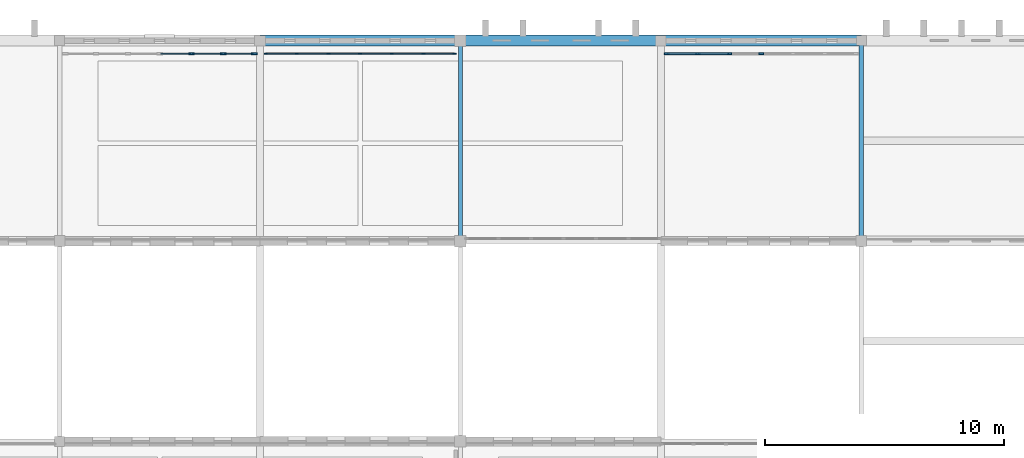
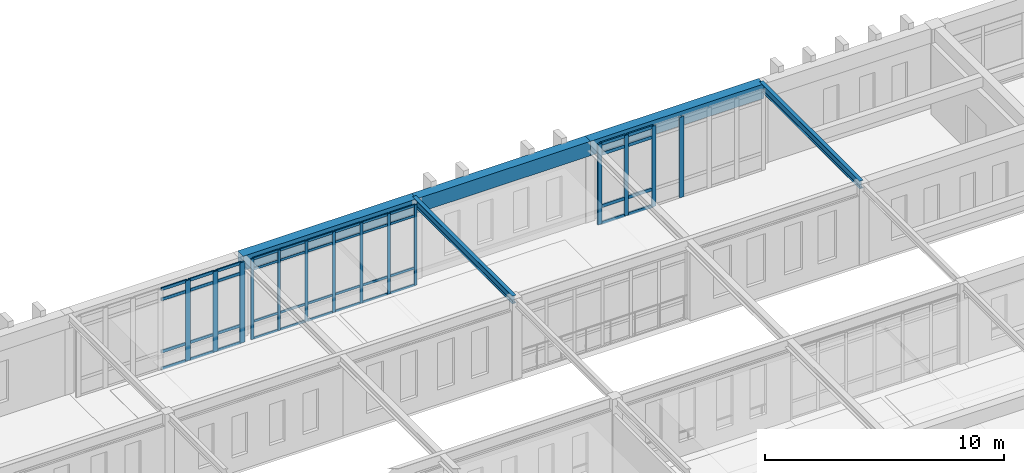
# One storey, part 96 of 192: 58 members, 5 beams, 3 elements without a shape of their own.
"""IFC4 building model written with IfcOpenShell, lengths in metres."""

from ifc_helpers import new_model, si_unit, direction, frame, origin, origin_2d, place, context, subcontext, project, spatial, rectangle, i_section, extrude, material, layer, layer_set, material_profile, profile_set, type_object, element, aggregate, save


model = new_model("IFC4")

# Units and contexts
model_context = context("Model", 3, precision=1e-05, world=origin(), true_north=direction((0.0, 1.0)))
body_context = subcontext(model_context, "Body", "Model", "MODEL_VIEW")
ifc_project = project(units=[si_unit("LENGTHUNIT", "METRE"), si_unit("AREAUNIT", "SQUARE_METRE"), si_unit("VOLUMEUNIT", "CUBIC_METRE"), si_unit("PLANEANGLEUNIT", "RADIAN"), si_unit("MASSUNIT", "GRAM", prefix="KILO")], contexts=[model_context])

# Site, building, storey
site_placement = place(None, origin())
site = spatial("IfcSite", under=ifc_project, at=site_placement, CompositionType="ELEMENT")
building_placement = place(site_placement, origin())
building = spatial("IfcBuilding", under=site, at=building_placement, Name="Kveldsbrygga Polytechnic", CompositionType="ELEMENT")
storey_placement = place(building_placement, frame((0.0, 0.0, 5.43994140625)))
storey = spatial("IfcBuildingStorey", under=building, at=storey_placement, Name="L01", CompositionType="ELEMENT", Elevation=5.43994140625)

# Beams
ifc_material_1 = material(Name="Concrete C35/45", Category="concrete")
ifc_material_profile_1 = material_profile(ifc_material_1, rectangle(XDim=0.4599609375, YDim=0.739990234375, at=origin_2d()), Name="RC 460x740")
ifc_profile_set_1 = profile_set([ifc_material_profile_1], Name="Concrete C35/45")
beam_type_1 = type_object("IfcBeamType", Name="BM-RC-460x740", PredefinedType="BEAM", material=ifc_profile_set_1)
beam_placement = place(storey_placement, frame((67.199951171875, 117.60009765625, 3.75), z_axis=(1.0, 0.0, 0.0), x_axis=(0.0, 1.0, 0.0)))
element("IfcBeam", 1, at=beam_placement, inside=storey, type_object=beam_type_1, Name="Primary Beam BMX-L01-08to09-14", PredefinedType="BEAM", context=body_context, shape_type="SweptSolid", body=[
    extrude(rectangle(XDim=0.4599609375, YDim=0.739990234375, at=origin_2d()), origin(), (0.0, 0.0, 1.0), 8.400146484375),
])
for number, where, z_axis, x_axis, name in (
    (2, (75.60009765625, 117.60009765625, 3.75), (1.0, 0.0, 0.0), (0.0, 1.0, 0.0), "Primary Beam BMX-L01-09to10-14"),
    (3, (84.0, 117.60009765625, 3.75), (1.0, 0.0, 0.0), (0.0, 1.0, 0.0), "Primary Beam BMX-L01-10to11-14"),
):
    element("IfcBeam", number, at=place(storey_placement, frame(where, z_axis=z_axis, x_axis=x_axis)), inside=storey, type_object=beam_type_1, Name=name, PredefinedType="BEAM", context=body_context, shape_type="SweptSolid", body=[
        extrude(rectangle(XDim=0.4599609375, YDim=0.739990234375, at=origin_2d()), origin(), (0.0, 0.0, 1.0), 8.39990234375),
    ])
ifc_material_2 = material(Name="Steel S355", Category="steel")
ifc_material_profile_2 = material_profile(ifc_material_2, i_section(OverallWidth=0.179931640625, OverallDepth=0.39990234375, WebThickness=0.008544921875, FlangeThickness=0.013427734375, FilletRadius=0.02099609375, at=origin_2d()), Name="IPE 400")
ifc_profile_set_2 = profile_set([ifc_material_profile_2], Name="Steel S355")
beam_type_2 = type_object("IfcBeamType", Name="BM-STL-IPE400", PredefinedType="BEAM", material=ifc_profile_set_2)
for number, where, z_axis, x_axis, name in (
    (4, (75.60009765625, 109.199951171875, 3.920166015625), (0.0, 1.0, 0.0), (-1.0, 0.0, 0.0), "Primary Beam BMY-L01-09-13to14"),
    (5, (92.39990234375, 109.199951171875, 3.920166015625), (0.0, 1.0, 0.0), (-1.0, 0.0, 0.0), "Primary Beam BMY-L01-11-13to14"),
):
    element("IfcBeam", number, at=place(storey_placement, frame(where, z_axis=z_axis, x_axis=x_axis)), inside=storey, type_object=beam_type_2, Name=name, PredefinedType="BEAM", context=body_context, shape_type="SweptSolid", body=[
        extrude(i_section(OverallWidth=0.179931640625, OverallDepth=0.39990234375, WebThickness=0.008544921875, FlangeThickness=0.013427734375, FilletRadius=0.02099609375, at=origin_2d()), origin(), (0.0, 0.0, 1.0), 8.400146484375),
    ])

# Curtain wall, members
ifc_material_3 = material(Name="Anodised aluminium AW-6060", Category="aluminium")
ifc_layer_1 = layer(ifc_material_3, 0.179931640625)
ifc_layer_set_1 = layer_set([ifc_layer_1], Name="Anodised aluminium AW-6060")
curtain_wall_type_1 = type_object("IfcCurtainWallType", Name="CW-CONC-A", PredefinedType="USERDEFINED", material=ifc_layer_set_1)
curtain_wall_1_placement = place(storey_placement, origin())
curtain_wall_1 = element("IfcCurtainWall", 6, at=curtain_wall_1_placement, inside=storey, type_object=curtain_wall_type_1, Name="Curtain Wall CW-L01-X-08-14", ObjectType="UNITISED CURTAIN WALL", PredefinedType="USERDEFINED")
ifc_material_profile_3 = material_profile(ifc_material_3, rectangle(XDim=0.06005859375, YDim=0.139892578125, at=origin_2d()), Name="ALU 60x140")
ifc_profile_set_3 = profile_set([ifc_material_profile_3], Name="Anodised aluminium AW-6060")
member_type_1 = type_object("IfcMemberType", Name="CW-MUL-140", PredefinedType="MULLION", material=ifc_profile_set_3)
member_1_placement = place(storey_placement, frame((67.43994140625, 117.050048828125, 0.0), z_axis=(0.0, 0.0, 1.0), x_axis=(0.0, 1.0, 0.0)))
member_1 = element("IfcMember", 7, at=member_1_placement, type_object=member_type_1, Name="CW-01 mullion 1", PredefinedType="MULLION", context=body_context, shape_type="SweptSolid", body=[
    extrude(rectangle(XDim=0.06005859375, YDim=0.139892578125, at=origin_2d()), origin(), (0.0, 0.0, 1.0), 4.1201171875),
])
member_2_placement = place(storey_placement, frame((68.737548828125, 117.050048828125, 0.0), z_axis=(0.0, 0.0, 1.0), x_axis=(0.0, 1.0, 0.0)))
member_2 = element("IfcMember", 8, at=member_2_placement, type_object=member_type_1, Name="CW-01 mullion 2", PredefinedType="MULLION", context=body_context, shape_type="SweptSolid", body=[
    extrude(rectangle(XDim=0.06005859375, YDim=0.139892578125, at=origin_2d()), origin(), (0.0, 0.0, 1.0), 4.1201171875),
])
member_3_placement = place(storey_placement, frame((70.06494140625, 117.050048828125, 0.0), z_axis=(0.0, 0.0, 1.0), x_axis=(0.0, 1.0, 0.0)))
member_3 = element("IfcMember", 9, at=member_3_placement, type_object=member_type_1, Name="CW-01 mullion 3", PredefinedType="MULLION", context=body_context, shape_type="SweptSolid", body=[
    extrude(rectangle(XDim=0.06005859375, YDim=0.139892578125, at=origin_2d()), origin(), (0.0, 0.0, 1.0), 4.1201171875),
])
member_4_placement = place(storey_placement, frame((71.392578125, 117.050048828125, 0.0), z_axis=(0.0, 0.0, 1.0), x_axis=(0.0, 1.0, 0.0)))
member_4 = element("IfcMember", 10, at=member_4_placement, type_object=member_type_1, Name="CW-01 mullion 4", PredefinedType="MULLION", context=body_context, shape_type="SweptSolid", body=[
    extrude(rectangle(XDim=0.06005859375, YDim=0.139892578125, at=origin_2d()), origin(), (0.0, 0.0, 1.0), 4.1201171875),
])
member_5_placement = place(storey_placement, frame((72.719970703125, 117.050048828125, 0.0), z_axis=(0.0, 0.0, 1.0), x_axis=(0.0, 1.0, 0.0)))
member_5 = element("IfcMember", 11, at=member_5_placement, type_object=member_type_1, Name="CW-01 mullion 5", PredefinedType="MULLION", context=body_context, shape_type="SweptSolid", body=[
    extrude(rectangle(XDim=0.06005859375, YDim=0.139892578125, at=origin_2d()), origin(), (0.0, 0.0, 1.0), 4.1201171875),
])
member_6_placement = place(storey_placement, frame((74.047607421875, 117.050048828125, 0.0), z_axis=(0.0, 0.0, 1.0), x_axis=(0.0, 1.0, 0.0)))
member_6 = element("IfcMember", 12, at=member_6_placement, type_object=member_type_1, Name="CW-01 mullion 6", PredefinedType="MULLION", context=body_context, shape_type="SweptSolid", body=[
    extrude(rectangle(XDim=0.06005859375, YDim=0.139892578125, at=origin_2d()), origin(), (0.0, 0.0, 1.0), 4.1201171875),
])
member_7_placement = place(storey_placement, frame((75.344970703125, 117.050048828125, 0.0), z_axis=(0.0, 0.0, 1.0), x_axis=(0.0, 1.0, 0.0)))
member_7 = element("IfcMember", 13, at=member_7_placement, type_object=member_type_1, Name="CW-01 mullion 7", PredefinedType="MULLION", context=body_context, shape_type="SweptSolid", body=[
    extrude(rectangle(XDim=0.06005859375, YDim=0.139892578125, at=origin_2d()), origin(), (0.0, 0.0, 1.0), 4.1201171875),
])

ifc_layer_2 = layer(ifc_material_3, 0.159912109375)
ifc_layer_set_2 = layer_set([ifc_layer_2], Name="Anodised aluminium AW-6060")
curtain_wall_type_2 = type_object("IfcCurtainWallType", Name="CW-CLER-C", PredefinedType="USERDEFINED", material=ifc_layer_set_2)
curtain_wall_2_placement = place(storey_placement, origin())
curtain_wall_2 = element("IfcCurtainWall", 14, at=curtain_wall_2_placement, inside=storey, type_object=curtain_wall_type_2, Name="Curtain Wall CW-L01-X-10-14", ObjectType="STICK CURTAIN WALL", PredefinedType="USERDEFINED")
ifc_material_profile_4 = material_profile(ifc_material_3, rectangle(XDim=0.074951171875, YDim=0.199951171875, at=origin_2d()), Name="ALU 75x200")
ifc_profile_set_4 = profile_set([ifc_material_profile_4], Name="Anodised aluminium AW-6060")
member_type_2 = type_object("IfcMemberType", Name="CW-MUL-200", PredefinedType="MULLION", material=ifc_profile_set_4)
member_8_placement = place(storey_placement, frame((84.24755859375, 117.050048828125, 0.0), z_axis=(0.0, 0.0, 1.0), x_axis=(0.0, 1.0, 0.0)))
member_8 = element("IfcMember", 15, at=member_8_placement, type_object=member_type_2, Name="CW-03 mullion 1", PredefinedType="MULLION", context=body_context, shape_type="SweptSolid", body=[
    extrude(rectangle(XDim=0.074951171875, YDim=0.199951171875, at=origin_2d()), origin(), (0.0, 0.0, 1.0), 4.1201171875),
])
member_9_placement = place(storey_placement, frame((85.54248046875, 117.050048828125, 0.0), z_axis=(0.0, 0.0, 1.0), x_axis=(0.0, 1.0, 0.0)))
member_9 = element("IfcMember", 16, at=member_9_placement, type_object=member_type_2, Name="CW-03 mullion 2", PredefinedType="MULLION", context=body_context, shape_type="SweptSolid", body=[
    extrude(rectangle(XDim=0.074951171875, YDim=0.199951171875, at=origin_2d()), origin(), (0.0, 0.0, 1.0), 4.1201171875),
])
member_10_placement = place(storey_placement, frame((86.875, 117.050048828125, 0.0), z_axis=(0.0, 0.0, 1.0), x_axis=(0.0, 1.0, 0.0)))
member_10 = element("IfcMember", 17, at=member_10_placement, type_object=member_type_2, Name="CW-03 mullion 3", PredefinedType="MULLION", context=body_context, shape_type="SweptSolid", body=[
    extrude(rectangle(XDim=0.074951171875, YDim=0.199951171875, at=origin_2d()), origin(), (0.0, 0.0, 1.0), 4.1201171875),
])
member_11_placement = place(storey_placement, frame((88.20751953125, 117.050048828125, 0.0), z_axis=(0.0, 0.0, 1.0), x_axis=(0.0, 1.0, 0.0)))
member_11 = element("IfcMember", 18, at=member_11_placement, type_object=member_type_2, Name="CW-03 mullion 4", PredefinedType="MULLION", context=body_context, shape_type="SweptSolid", body=[
    extrude(rectangle(XDim=0.074951171875, YDim=0.199951171875, at=origin_2d()), origin(), (0.0, 0.0, 1.0), 4.1201171875),
])

ifc_layer_3 = layer(ifc_material_3, 0.2099609375)
ifc_layer_set_3 = layer_set([ifc_layer_3], Name="Anodised aluminium AW-6060")
curtain_wall_type_3 = type_object("IfcCurtainWallType", Name="CW-LIBR-H", PredefinedType="USERDEFINED", material=ifc_layer_set_3)
curtain_wall_3_placement = place(storey_placement, origin())
curtain_wall_3 = element("IfcCurtainWall", 19, at=curtain_wall_3_placement, inside=storey, type_object=curtain_wall_type_3, Name="Curtain Wall CW-L01-X-07-14", ObjectType="UNITISED CURTAIN WALL", PredefinedType="USERDEFINED")
ifc_material_profile_5 = material_profile(ifc_material_3, rectangle(XDim=0.074951171875, YDim=0.239990234375, at=origin_2d()), Name="ALU 75x240")
ifc_profile_set_5 = profile_set([ifc_material_profile_5], Name="Anodised aluminium AW-6060")
member_type_3 = type_object("IfcMemberType", Name="CW-MUL-240", PredefinedType="MULLION", material=ifc_profile_set_5)
member_12_placement = place(storey_placement, frame((64.324951171875, 117.050048828125, 0.0), z_axis=(0.0, 0.0, 1.0), x_axis=(0.0, 1.0, 0.0)))
member_12 = element("IfcMember", 20, at=member_12_placement, type_object=member_type_3, Name="CW-08 mullion 5", PredefinedType="MULLION", context=body_context, shape_type="SweptSolid", body=[
    extrude(rectangle(XDim=0.074951171875, YDim=0.239990234375, at=origin_2d()), origin(), (0.0, 0.0, 1.0), 4.1201171875),
])
member_13_placement = place(storey_placement, frame((65.657470703125, 117.050048828125, 0.0), z_axis=(0.0, 0.0, 1.0), x_axis=(0.0, 1.0, 0.0)))
member_13 = element("IfcMember", 21, at=member_13_placement, type_object=member_type_3, Name="CW-08 mullion 6", PredefinedType="MULLION", context=body_context, shape_type="SweptSolid", body=[
    extrude(rectangle(XDim=0.074951171875, YDim=0.239990234375, at=origin_2d()), origin(), (0.0, 0.0, 1.0), 4.1201171875),
])
member_14_placement = place(storey_placement, frame((66.952392578125, 117.050048828125, 0.0), z_axis=(0.0, 0.0, 1.0), x_axis=(0.0, 1.0, 0.0)))
member_14 = element("IfcMember", 22, at=member_14_placement, type_object=member_type_3, Name="CW-08 mullion 7", PredefinedType="MULLION", context=body_context, shape_type="SweptSolid", body=[
    extrude(rectangle(XDim=0.074951171875, YDim=0.239990234375, at=origin_2d()), origin(), (0.0, 0.0, 1.0), 4.1201171875),
])

# Member
ifc_material_profile_6 = material_profile(ifc_material_3, rectangle(XDim=0.06005859375, YDim=0.1201171875, at=origin_2d()), Name="ALU 60x120")
ifc_profile_set_6 = profile_set([ifc_material_profile_6], Name="Anodised aluminium AW-6060")
member_type_4 = type_object("IfcMemberType", Name="CW-TRN-120", PredefinedType="USERDEFINED", material=ifc_profile_set_6)
member_15_placement = place(storey_placement, frame((67.469970703125, 117.050048828125, 0.030029296875), z_axis=(1.0, 0.0, 0.0), x_axis=(0.0, 1.0, 0.0)))
member_15 = element("IfcMember", 23, at=member_15_placement, type_object=member_type_4, Name="CW-01 transom 1.1", ObjectType="TRANSOM", PredefinedType="USERDEFINED", context=body_context, shape_type="SweptSolid", body=[
    extrude(rectangle(XDim=0.06005859375, YDim=0.1201171875, at=origin_2d()), origin(), (0.0, 0.0, 1.0), 1.237548828125),
])

member_16_placement = place(storey_placement, frame((67.469970703125, 117.050048828125, 0.900146484375), z_axis=(1.0, 0.0, 0.0), x_axis=(0.0, 1.0, 0.0)))
member_16 = element("IfcMember", 24, at=member_16_placement, type_object=member_type_4, Name="CW-01 transom 1.2", ObjectType="TRANSOM", PredefinedType="USERDEFINED", context=body_context, shape_type="SweptSolid", body=[
    extrude(rectangle(XDim=0.06005859375, YDim=0.1201171875, at=origin_2d()), origin(), (0.0, 0.0, 1.0), 1.237548828125),
])

member_17_placement = place(storey_placement, frame((67.469970703125, 117.050048828125, 3.570068359375), z_axis=(1.0, 0.0, 0.0), x_axis=(0.0, 1.0, 0.0)))
member_17 = element("IfcMember", 25, at=member_17_placement, type_object=member_type_4, Name="CW-01 transom 1.3", ObjectType="TRANSOM", PredefinedType="USERDEFINED", context=body_context, shape_type="SweptSolid", body=[
    extrude(rectangle(XDim=0.06005859375, YDim=0.1201171875, at=origin_2d()), origin(), (0.0, 0.0, 1.0), 1.237548828125),
])

member_18_placement = place(storey_placement, frame((67.469970703125, 117.050048828125, 4.090087890625), z_axis=(1.0, 0.0, 0.0), x_axis=(0.0, 1.0, 0.0)))
member_18 = element("IfcMember", 26, at=member_18_placement, type_object=member_type_4, Name="CW-01 transom 1.4", ObjectType="TRANSOM", PredefinedType="USERDEFINED", context=body_context, shape_type="SweptSolid", body=[
    extrude(rectangle(XDim=0.06005859375, YDim=0.1201171875, at=origin_2d()), origin(), (0.0, 0.0, 1.0), 1.237548828125),
])

member_19_placement = place(storey_placement, frame((68.767578125, 117.050048828125, 0.030029296875), z_axis=(1.0, 0.0, 0.0), x_axis=(0.0, 1.0, 0.0)))
member_19 = element("IfcMember", 27, at=member_19_placement, type_object=member_type_4, Name="CW-01 transom 2.1", ObjectType="TRANSOM", PredefinedType="USERDEFINED", context=body_context, shape_type="SweptSolid", body=[
    extrude(rectangle(XDim=0.06005859375, YDim=0.1201171875, at=origin_2d()), origin(), (0.0, 0.0, 1.0), 1.267333984375),
])

member_20_placement = place(storey_placement, frame((68.767578125, 117.050048828125, 0.900146484375), z_axis=(1.0, 0.0, 0.0), x_axis=(0.0, 1.0, 0.0)))
member_20 = element("IfcMember", 28, at=member_20_placement, type_object=member_type_4, Name="CW-01 transom 2.2", ObjectType="TRANSOM", PredefinedType="USERDEFINED", context=body_context, shape_type="SweptSolid", body=[
    extrude(rectangle(XDim=0.06005859375, YDim=0.1201171875, at=origin_2d()), origin(), (0.0, 0.0, 1.0), 1.267333984375),
])

member_21_placement = place(storey_placement, frame((68.767578125, 117.050048828125, 3.570068359375), z_axis=(1.0, 0.0, 0.0), x_axis=(0.0, 1.0, 0.0)))
member_21 = element("IfcMember", 29, at=member_21_placement, type_object=member_type_4, Name="CW-01 transom 2.3", ObjectType="TRANSOM", PredefinedType="USERDEFINED", context=body_context, shape_type="SweptSolid", body=[
    extrude(rectangle(XDim=0.06005859375, YDim=0.1201171875, at=origin_2d()), origin(), (0.0, 0.0, 1.0), 1.267333984375),
])

member_22_placement = place(storey_placement, frame((68.767578125, 117.050048828125, 4.090087890625), z_axis=(1.0, 0.0, 0.0), x_axis=(0.0, 1.0, 0.0)))
member_22 = element("IfcMember", 30, at=member_22_placement, type_object=member_type_4, Name="CW-01 transom 2.4", ObjectType="TRANSOM", PredefinedType="USERDEFINED", context=body_context, shape_type="SweptSolid", body=[
    extrude(rectangle(XDim=0.06005859375, YDim=0.1201171875, at=origin_2d()), origin(), (0.0, 0.0, 1.0), 1.267333984375),
])

member_23_placement = place(storey_placement, frame((70.094970703125, 117.050048828125, 0.030029296875), z_axis=(1.0, 0.0, 0.0), x_axis=(0.0, 1.0, 0.0)))
member_23 = element("IfcMember", 31, at=member_23_placement, type_object=member_type_4, Name="CW-01 transom 3.1", ObjectType="TRANSOM", PredefinedType="USERDEFINED", context=body_context, shape_type="SweptSolid", body=[
    extrude(rectangle(XDim=0.06005859375, YDim=0.1201171875, at=origin_2d()), origin(), (0.0, 0.0, 1.0), 1.267578125),
])

member_24_placement = place(storey_placement, frame((70.094970703125, 117.050048828125, 0.900146484375), z_axis=(1.0, 0.0, 0.0), x_axis=(0.0, 1.0, 0.0)))
member_24 = element("IfcMember", 32, at=member_24_placement, type_object=member_type_4, Name="CW-01 transom 3.2", ObjectType="TRANSOM", PredefinedType="USERDEFINED", context=body_context, shape_type="SweptSolid", body=[
    extrude(rectangle(XDim=0.06005859375, YDim=0.1201171875, at=origin_2d()), origin(), (0.0, 0.0, 1.0), 1.267578125),
])

member_25_placement = place(storey_placement, frame((70.094970703125, 117.050048828125, 3.570068359375), z_axis=(1.0, 0.0, 0.0), x_axis=(0.0, 1.0, 0.0)))
member_25 = element("IfcMember", 33, at=member_25_placement, type_object=member_type_4, Name="CW-01 transom 3.3", ObjectType="TRANSOM", PredefinedType="USERDEFINED", context=body_context, shape_type="SweptSolid", body=[
    extrude(rectangle(XDim=0.06005859375, YDim=0.1201171875, at=origin_2d()), origin(), (0.0, 0.0, 1.0), 1.267578125),
])

member_26_placement = place(storey_placement, frame((70.094970703125, 117.050048828125, 4.090087890625), z_axis=(1.0, 0.0, 0.0), x_axis=(0.0, 1.0, 0.0)))
member_26 = element("IfcMember", 34, at=member_26_placement, type_object=member_type_4, Name="CW-01 transom 3.4", ObjectType="TRANSOM", PredefinedType="USERDEFINED", context=body_context, shape_type="SweptSolid", body=[
    extrude(rectangle(XDim=0.06005859375, YDim=0.1201171875, at=origin_2d()), origin(), (0.0, 0.0, 1.0), 1.267578125),
])

member_27_placement = place(storey_placement, frame((71.422607421875, 117.050048828125, 0.030029296875), z_axis=(1.0, 0.0, 0.0), x_axis=(0.0, 1.0, 0.0)))
member_27 = element("IfcMember", 35, at=member_27_placement, type_object=member_type_4, Name="CW-01 transom 4.1", ObjectType="TRANSOM", PredefinedType="USERDEFINED", context=body_context, shape_type="SweptSolid", body=[
    extrude(rectangle(XDim=0.06005859375, YDim=0.1201171875, at=origin_2d()), origin(), (0.0, 0.0, 1.0), 1.267333984375),
])

member_28_placement = place(storey_placement, frame((71.422607421875, 117.050048828125, 0.900146484375), z_axis=(1.0, 0.0, 0.0), x_axis=(0.0, 1.0, 0.0)))
member_28 = element("IfcMember", 36, at=member_28_placement, type_object=member_type_4, Name="CW-01 transom 4.2", ObjectType="TRANSOM", PredefinedType="USERDEFINED", context=body_context, shape_type="SweptSolid", body=[
    extrude(rectangle(XDim=0.06005859375, YDim=0.1201171875, at=origin_2d()), origin(), (0.0, 0.0, 1.0), 1.267333984375),
])

member_29_placement = place(storey_placement, frame((71.422607421875, 117.050048828125, 3.570068359375), z_axis=(1.0, 0.0, 0.0), x_axis=(0.0, 1.0, 0.0)))
member_29 = element("IfcMember", 37, at=member_29_placement, type_object=member_type_4, Name="CW-01 transom 4.3", ObjectType="TRANSOM", PredefinedType="USERDEFINED", context=body_context, shape_type="SweptSolid", body=[
    extrude(rectangle(XDim=0.06005859375, YDim=0.1201171875, at=origin_2d()), origin(), (0.0, 0.0, 1.0), 1.267333984375),
])

member_30_placement = place(storey_placement, frame((71.422607421875, 117.050048828125, 4.090087890625), z_axis=(1.0, 0.0, 0.0), x_axis=(0.0, 1.0, 0.0)))
member_30 = element("IfcMember", 38, at=member_30_placement, type_object=member_type_4, Name="CW-01 transom 4.4", ObjectType="TRANSOM", PredefinedType="USERDEFINED", context=body_context, shape_type="SweptSolid", body=[
    extrude(rectangle(XDim=0.06005859375, YDim=0.1201171875, at=origin_2d()), origin(), (0.0, 0.0, 1.0), 1.267333984375),
])

member_31_placement = place(storey_placement, frame((72.75, 117.050048828125, 0.030029296875), z_axis=(1.0, 0.0, 0.0), x_axis=(0.0, 1.0, 0.0)))
member_31 = element("IfcMember", 39, at=member_31_placement, type_object=member_type_4, Name="CW-01 transom 5.1", ObjectType="TRANSOM", PredefinedType="USERDEFINED", context=body_context, shape_type="SweptSolid", body=[
    extrude(rectangle(XDim=0.06005859375, YDim=0.1201171875, at=origin_2d()), origin(), (0.0, 0.0, 1.0), 1.267578125),
])

member_32_placement = place(storey_placement, frame((72.75, 117.050048828125, 0.900146484375), z_axis=(1.0, 0.0, 0.0), x_axis=(0.0, 1.0, 0.0)))
member_32 = element("IfcMember", 40, at=member_32_placement, type_object=member_type_4, Name="CW-01 transom 5.2", ObjectType="TRANSOM", PredefinedType="USERDEFINED", context=body_context, shape_type="SweptSolid", body=[
    extrude(rectangle(XDim=0.06005859375, YDim=0.1201171875, at=origin_2d()), origin(), (0.0, 0.0, 1.0), 1.267578125),
])

member_33_placement = place(storey_placement, frame((72.75, 117.050048828125, 3.570068359375), z_axis=(1.0, 0.0, 0.0), x_axis=(0.0, 1.0, 0.0)))
member_33 = element("IfcMember", 41, at=member_33_placement, type_object=member_type_4, Name="CW-01 transom 5.3", ObjectType="TRANSOM", PredefinedType="USERDEFINED", context=body_context, shape_type="SweptSolid", body=[
    extrude(rectangle(XDim=0.06005859375, YDim=0.1201171875, at=origin_2d()), origin(), (0.0, 0.0, 1.0), 1.267578125),
])

member_34_placement = place(storey_placement, frame((72.75, 117.050048828125, 4.090087890625), z_axis=(1.0, 0.0, 0.0), x_axis=(0.0, 1.0, 0.0)))
member_34 = element("IfcMember", 42, at=member_34_placement, type_object=member_type_4, Name="CW-01 transom 5.4", ObjectType="TRANSOM", PredefinedType="USERDEFINED", context=body_context, shape_type="SweptSolid", body=[
    extrude(rectangle(XDim=0.06005859375, YDim=0.1201171875, at=origin_2d()), origin(), (0.0, 0.0, 1.0), 1.267578125),
])

member_35_placement = place(storey_placement, frame((74.077392578125, 117.050048828125, 0.030029296875), z_axis=(1.0, 0.0, 0.0), x_axis=(0.0, 1.0, 0.0)))
member_35 = element("IfcMember", 43, at=member_35_placement, type_object=member_type_4, Name="CW-01 transom 6.1", ObjectType="TRANSOM", PredefinedType="USERDEFINED", context=body_context, shape_type="SweptSolid", body=[
    extrude(rectangle(XDim=0.06005859375, YDim=0.1201171875, at=origin_2d()), origin(), (0.0, 0.0, 1.0), 1.237548828125),
])

member_36_placement = place(storey_placement, frame((74.077392578125, 117.050048828125, 0.900146484375), z_axis=(1.0, 0.0, 0.0), x_axis=(0.0, 1.0, 0.0)))
member_36 = element("IfcMember", 44, at=member_36_placement, type_object=member_type_4, Name="CW-01 transom 6.2", ObjectType="TRANSOM", PredefinedType="USERDEFINED", context=body_context, shape_type="SweptSolid", body=[
    extrude(rectangle(XDim=0.06005859375, YDim=0.1201171875, at=origin_2d()), origin(), (0.0, 0.0, 1.0), 1.237548828125),
])

member_37_placement = place(storey_placement, frame((74.077392578125, 117.050048828125, 3.570068359375), z_axis=(1.0, 0.0, 0.0), x_axis=(0.0, 1.0, 0.0)))
member_37 = element("IfcMember", 45, at=member_37_placement, type_object=member_type_4, Name="CW-01 transom 6.3", ObjectType="TRANSOM", PredefinedType="USERDEFINED", context=body_context, shape_type="SweptSolid", body=[
    extrude(rectangle(XDim=0.06005859375, YDim=0.1201171875, at=origin_2d()), origin(), (0.0, 0.0, 1.0), 1.237548828125),
])

member_38_placement = place(storey_placement, frame((74.077392578125, 117.050048828125, 4.090087890625), z_axis=(1.0, 0.0, 0.0), x_axis=(0.0, 1.0, 0.0)))
member_38 = element("IfcMember", 46, at=member_38_placement, type_object=member_type_4, Name="CW-01 transom 6.4", ObjectType="TRANSOM", PredefinedType="USERDEFINED", context=body_context, shape_type="SweptSolid", body=[
    extrude(rectangle(XDim=0.06005859375, YDim=0.1201171875, at=origin_2d()), origin(), (0.0, 0.0, 1.0), 1.237548828125),
])

aggregate(curtain_wall_1, [member_1, member_2, member_3, member_4, member_5, member_6, member_7, member_15, member_16, member_17, member_18, member_19, member_20, member_21, member_22, member_23, member_24, member_25, member_26, member_27, member_28, member_29, member_30, member_31, member_32, member_33, member_34, member_35, member_36, member_37, member_38])

ifc_material_profile_7 = material_profile(ifc_material_3, rectangle(XDim=0.06005859375, YDim=0.14990234375, at=origin_2d()), Name="ALU 60x150")
ifc_profile_set_7 = profile_set([ifc_material_profile_7], Name="Anodised aluminium AW-6060")
member_type_5 = type_object("IfcMemberType", Name="CW-TRN-150", PredefinedType="USERDEFINED", material=ifc_profile_set_7)
member_39_placement = place(storey_placement, frame((63.030029296875, 117.050048828125, 0.030029296875), z_axis=(1.0, 0.0, 0.0), x_axis=(0.0, 1.0, 0.0)))
member_39 = element("IfcMember", 47, at=member_39_placement, type_object=member_type_5, Name="CW-08 transom 4.1", ObjectType="TRANSOM", PredefinedType="USERDEFINED", context=body_context, shape_type="SweptSolid", body=[
    extrude(rectangle(XDim=0.06005859375, YDim=0.14990234375, at=origin_2d()), origin(), (0.0, 0.0, 1.0), 1.257568359375),
])

member_40_placement = place(storey_placement, frame((63.030029296875, 117.050048828125, 0.900146484375), z_axis=(1.0, 0.0, 0.0), x_axis=(0.0, 1.0, 0.0)))
member_40 = element("IfcMember", 48, at=member_40_placement, type_object=member_type_5, Name="CW-08 transom 4.2", ObjectType="TRANSOM", PredefinedType="USERDEFINED", context=body_context, shape_type="SweptSolid", body=[
    extrude(rectangle(XDim=0.06005859375, YDim=0.14990234375, at=origin_2d()), origin(), (0.0, 0.0, 1.0), 1.257568359375),
])

member_41_placement = place(storey_placement, frame((63.030029296875, 117.050048828125, 3.570068359375), z_axis=(1.0, 0.0, 0.0), x_axis=(0.0, 1.0, 0.0)))
member_41 = element("IfcMember", 49, at=member_41_placement, type_object=member_type_5, Name="CW-08 transom 4.3", ObjectType="TRANSOM", PredefinedType="USERDEFINED", context=body_context, shape_type="SweptSolid", body=[
    extrude(rectangle(XDim=0.06005859375, YDim=0.14990234375, at=origin_2d()), origin(), (0.0, 0.0, 1.0), 1.257568359375),
])

member_42_placement = place(storey_placement, frame((63.030029296875, 117.050048828125, 4.090087890625), z_axis=(1.0, 0.0, 0.0), x_axis=(0.0, 1.0, 0.0)))
member_42 = element("IfcMember", 50, at=member_42_placement, type_object=member_type_5, Name="CW-08 transom 4.4", ObjectType="TRANSOM", PredefinedType="USERDEFINED", context=body_context, shape_type="SweptSolid", body=[
    extrude(rectangle(XDim=0.06005859375, YDim=0.14990234375, at=origin_2d()), origin(), (0.0, 0.0, 1.0), 1.257568359375),
])

member_43_placement = place(storey_placement, frame((64.362548828125, 117.050048828125, 0.030029296875), z_axis=(1.0, 0.0, 0.0), x_axis=(0.0, 1.0, 0.0)))
member_43 = element("IfcMember", 51, at=member_43_placement, type_object=member_type_5, Name="CW-08 transom 5.1", ObjectType="TRANSOM", PredefinedType="USERDEFINED", context=body_context, shape_type="SweptSolid", body=[
    extrude(rectangle(XDim=0.06005859375, YDim=0.14990234375, at=origin_2d()), origin(), (0.0, 0.0, 1.0), 1.257568359375),
])

member_44_placement = place(storey_placement, frame((64.362548828125, 117.050048828125, 0.900146484375), z_axis=(1.0, 0.0, 0.0), x_axis=(0.0, 1.0, 0.0)))
member_44 = element("IfcMember", 52, at=member_44_placement, type_object=member_type_5, Name="CW-08 transom 5.2", ObjectType="TRANSOM", PredefinedType="USERDEFINED", context=body_context, shape_type="SweptSolid", body=[
    extrude(rectangle(XDim=0.06005859375, YDim=0.14990234375, at=origin_2d()), origin(), (0.0, 0.0, 1.0), 1.257568359375),
])

member_45_placement = place(storey_placement, frame((64.362548828125, 117.050048828125, 3.570068359375), z_axis=(1.0, 0.0, 0.0), x_axis=(0.0, 1.0, 0.0)))
member_45 = element("IfcMember", 53, at=member_45_placement, type_object=member_type_5, Name="CW-08 transom 5.3", ObjectType="TRANSOM", PredefinedType="USERDEFINED", context=body_context, shape_type="SweptSolid", body=[
    extrude(rectangle(XDim=0.06005859375, YDim=0.14990234375, at=origin_2d()), origin(), (0.0, 0.0, 1.0), 1.257568359375),
])

member_46_placement = place(storey_placement, frame((64.362548828125, 117.050048828125, 4.090087890625), z_axis=(1.0, 0.0, 0.0), x_axis=(0.0, 1.0, 0.0)))
member_46 = element("IfcMember", 54, at=member_46_placement, type_object=member_type_5, Name="CW-08 transom 5.4", ObjectType="TRANSOM", PredefinedType="USERDEFINED", context=body_context, shape_type="SweptSolid", body=[
    extrude(rectangle(XDim=0.06005859375, YDim=0.14990234375, at=origin_2d()), origin(), (0.0, 0.0, 1.0), 1.257568359375),
])

member_47_placement = place(storey_placement, frame((65.695068359375, 117.050048828125, 0.030029296875), z_axis=(1.0, 0.0, 0.0), x_axis=(0.0, 1.0, 0.0)))
member_47 = element("IfcMember", 55, at=member_47_placement, type_object=member_type_5, Name="CW-08 transom 6.1", ObjectType="TRANSOM", PredefinedType="USERDEFINED", context=body_context, shape_type="SweptSolid", body=[
    extrude(rectangle(XDim=0.06005859375, YDim=0.14990234375, at=origin_2d()), origin(), (0.0, 0.0, 1.0), 1.219970703125),
])

member_48_placement = place(storey_placement, frame((65.695068359375, 117.050048828125, 0.900146484375), z_axis=(1.0, 0.0, 0.0), x_axis=(0.0, 1.0, 0.0)))
member_48 = element("IfcMember", 56, at=member_48_placement, type_object=member_type_5, Name="CW-08 transom 6.2", ObjectType="TRANSOM", PredefinedType="USERDEFINED", context=body_context, shape_type="SweptSolid", body=[
    extrude(rectangle(XDim=0.06005859375, YDim=0.14990234375, at=origin_2d()), origin(), (0.0, 0.0, 1.0), 1.219970703125),
])

member_49_placement = place(storey_placement, frame((65.695068359375, 117.050048828125, 3.570068359375), z_axis=(1.0, 0.0, 0.0), x_axis=(0.0, 1.0, 0.0)))
member_49 = element("IfcMember", 57, at=member_49_placement, type_object=member_type_5, Name="CW-08 transom 6.3", ObjectType="TRANSOM", PredefinedType="USERDEFINED", context=body_context, shape_type="SweptSolid", body=[
    extrude(rectangle(XDim=0.06005859375, YDim=0.14990234375, at=origin_2d()), origin(), (0.0, 0.0, 1.0), 1.219970703125),
])

member_50_placement = place(storey_placement, frame((65.695068359375, 117.050048828125, 4.090087890625), z_axis=(1.0, 0.0, 0.0), x_axis=(0.0, 1.0, 0.0)))
member_50 = element("IfcMember", 58, at=member_50_placement, type_object=member_type_5, Name="CW-08 transom 6.4", ObjectType="TRANSOM", PredefinedType="USERDEFINED", context=body_context, shape_type="SweptSolid", body=[
    extrude(rectangle(XDim=0.06005859375, YDim=0.14990234375, at=origin_2d()), origin(), (0.0, 0.0, 1.0), 1.219970703125),
])

aggregate(curtain_wall_3, [member_12, member_13, member_14, member_39, member_40, member_41, member_42, member_43, member_44, member_45, member_46, member_47, member_48, member_49, member_50])

ifc_material_profile_8 = material_profile(ifc_material_3, rectangle(XDim=0.074951171875, YDim=0.159912109375, at=origin_2d()), Name="ALU 75x160")
ifc_profile_set_8 = profile_set([ifc_material_profile_8], Name="Anodised aluminium AW-6060")
member_type_6 = type_object("IfcMemberType", Name="CW-TRN-160", PredefinedType="USERDEFINED", material=ifc_profile_set_8)
member_51_placement = place(storey_placement, frame((84.284912109375, 117.050048828125, 0.03759765625), z_axis=(1.0, 0.0, 0.0), x_axis=(0.0, 1.0, 0.0)))
member_51 = element("IfcMember", 59, at=member_51_placement, type_object=member_type_6, Name="CW-03 transom 1.1", ObjectType="TRANSOM", PredefinedType="USERDEFINED", context=body_context, shape_type="SweptSolid", body=[
    extrude(rectangle(XDim=0.074951171875, YDim=0.159912109375, at=origin_2d()), origin(), (0.0, 0.0, 1.0), 1.219970703125),
])

member_52_placement = place(storey_placement, frame((84.284912109375, 117.050048828125, 0.900146484375), z_axis=(1.0, 0.0, 0.0), x_axis=(0.0, 1.0, 0.0)))
member_52 = element("IfcMember", 60, at=member_52_placement, type_object=member_type_6, Name="CW-03 transom 1.2", ObjectType="TRANSOM", PredefinedType="USERDEFINED", context=body_context, shape_type="SweptSolid", body=[
    extrude(rectangle(XDim=0.074951171875, YDim=0.159912109375, at=origin_2d()), origin(), (0.0, 0.0, 1.0), 1.219970703125),
])

member_53_placement = place(storey_placement, frame((84.284912109375, 117.050048828125, 3.570068359375), z_axis=(1.0, 0.0, 0.0), x_axis=(0.0, 1.0, 0.0)))
member_53 = element("IfcMember", 61, at=member_53_placement, type_object=member_type_6, Name="CW-03 transom 1.3", ObjectType="TRANSOM", PredefinedType="USERDEFINED", context=body_context, shape_type="SweptSolid", body=[
    extrude(rectangle(XDim=0.074951171875, YDim=0.159912109375, at=origin_2d()), origin(), (0.0, 0.0, 1.0), 1.219970703125),
])

member_54_placement = place(storey_placement, frame((84.284912109375, 117.050048828125, 4.08251953125), z_axis=(1.0, 0.0, 0.0), x_axis=(0.0, 1.0, 0.0)))
member_54 = element("IfcMember", 62, at=member_54_placement, type_object=member_type_6, Name="CW-03 transom 1.4", ObjectType="TRANSOM", PredefinedType="USERDEFINED", context=body_context, shape_type="SweptSolid", body=[
    extrude(rectangle(XDim=0.074951171875, YDim=0.159912109375, at=origin_2d()), origin(), (0.0, 0.0, 1.0), 1.219970703125),
])

member_55_placement = place(storey_placement, frame((85.580078125, 117.050048828125, 0.03759765625), z_axis=(1.0, 0.0, 0.0), x_axis=(0.0, 1.0, 0.0)))
member_55 = element("IfcMember", 63, at=member_55_placement, type_object=member_type_6, Name="CW-03 transom 2.1", ObjectType="TRANSOM", PredefinedType="USERDEFINED", context=body_context, shape_type="SweptSolid", body=[
    extrude(rectangle(XDim=0.074951171875, YDim=0.159912109375, at=origin_2d()), origin(), (0.0, 0.0, 1.0), 1.25732421875),
])

member_56_placement = place(storey_placement, frame((85.580078125, 117.050048828125, 0.900146484375), z_axis=(1.0, 0.0, 0.0), x_axis=(0.0, 1.0, 0.0)))
member_56 = element("IfcMember", 64, at=member_56_placement, type_object=member_type_6, Name="CW-03 transom 2.2", ObjectType="TRANSOM", PredefinedType="USERDEFINED", context=body_context, shape_type="SweptSolid", body=[
    extrude(rectangle(XDim=0.074951171875, YDim=0.159912109375, at=origin_2d()), origin(), (0.0, 0.0, 1.0), 1.25732421875),
])

member_57_placement = place(storey_placement, frame((85.580078125, 117.050048828125, 3.570068359375), z_axis=(1.0, 0.0, 0.0), x_axis=(0.0, 1.0, 0.0)))
member_57 = element("IfcMember", 65, at=member_57_placement, type_object=member_type_6, Name="CW-03 transom 2.3", ObjectType="TRANSOM", PredefinedType="USERDEFINED", context=body_context, shape_type="SweptSolid", body=[
    extrude(rectangle(XDim=0.074951171875, YDim=0.159912109375, at=origin_2d()), origin(), (0.0, 0.0, 1.0), 1.25732421875),
])

member_58_placement = place(storey_placement, frame((85.580078125, 117.050048828125, 4.08251953125), z_axis=(1.0, 0.0, 0.0), x_axis=(0.0, 1.0, 0.0)))
member_58 = element("IfcMember", 66, at=member_58_placement, type_object=member_type_6, Name="CW-03 transom 2.4", ObjectType="TRANSOM", PredefinedType="USERDEFINED", context=body_context, shape_type="SweptSolid", body=[
    extrude(rectangle(XDim=0.074951171875, YDim=0.159912109375, at=origin_2d()), origin(), (0.0, 0.0, 1.0), 1.25732421875),
])

aggregate(curtain_wall_2, [member_8, member_9, member_10, member_11, member_51, member_52, member_53, member_54, member_55, member_56, member_57, member_58])

save(model, "model.ifc")
